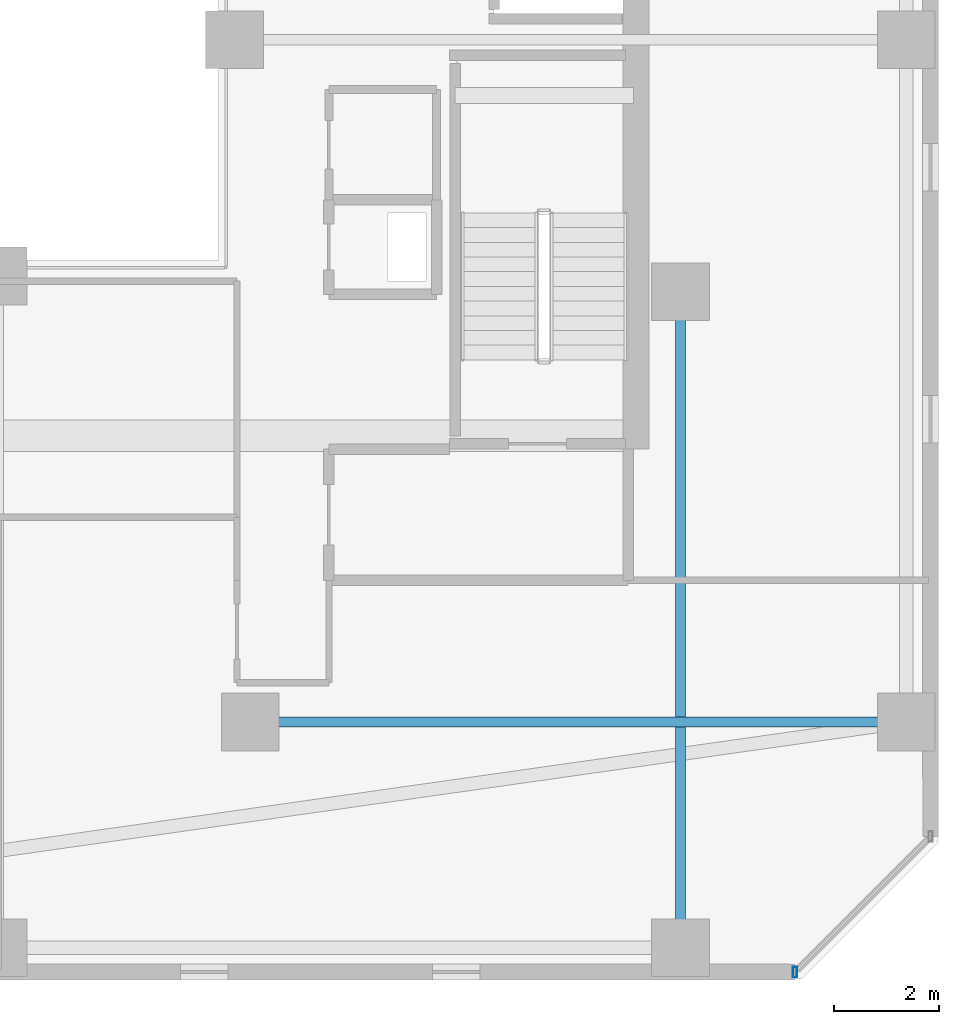
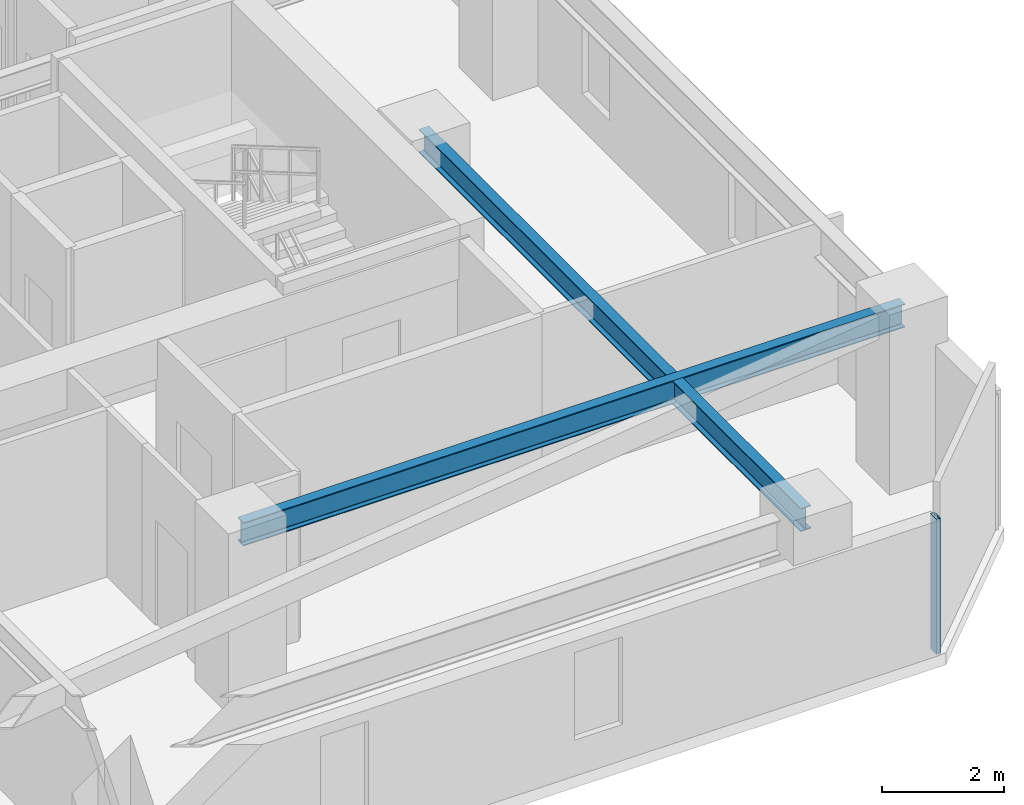
# One storey, part 13 of 33: 2 beams, 1 member, 1 element without a shape of its own.
"""IFC4 building model written with IfcOpenShell, lengths in metres."""

from ifc_helpers import new_model, si_unit, direction, frame, origin, origin_2d, place, context, subcontext, project, spatial, hollow_rectangle, i_section, extrude, material, material_profile, profile_set, type_object, element, aggregate, save


model = new_model("IFC4")

# Units and contexts
model_context = context("Model", 3, precision=1e-05, world=origin(), true_north=direction((0.0, 1.0)))
body_context = subcontext(model_context, "Body", "Model", "MODEL_VIEW")
ifc_project = project(units=[si_unit("LENGTHUNIT", "METRE"), si_unit("AREAUNIT", "SQUARE_METRE"), si_unit("VOLUMEUNIT", "CUBIC_METRE"), si_unit("PLANEANGLEUNIT", "RADIAN"), si_unit("MASSUNIT", "GRAM", prefix="KILO")], contexts=[model_context])

# Site, building, storey
site_placement = place(None, origin())
site = spatial("IfcSite", under=ifc_project, at=site_placement, CompositionType="ELEMENT")
building_placement = place(site_placement, origin())
building = spatial("IfcBuilding", under=site, at=building_placement, Name="Thornwick Lancets Civic Towers", CompositionType="ELEMENT")
storey_placement = place(building_placement, frame((0.0, 0.0, 185.699951171875)))
storey = spatial("IfcBuildingStorey", under=building, at=storey_placement, Name="L49", CompositionType="ELEMENT", Elevation=185.699951171875)

# Beams
ifc_material_1 = material(Name="Steel S355JR", Category="steel")
ifc_material_profile_1 = material_profile(ifc_material_1, i_section(OverallWidth=0.19287109375, OverallDepth=0.46728515625, WebThickness=0.011474609375, FlangeThickness=0.01953125, FilletRadius=0.01025390625, at=origin_2d()), Name="UKB 457x191x98")
ifc_profile_set_1 = profile_set([ifc_material_profile_1], Name="Steel S355JR")
beam_type = type_object("IfcBeamType", Name="BM_JOIST_457_98", PredefinedType="JOIST", material=ifc_profile_set_1)
for number, where, z_axis, x_axis, name in (
    (1, (93.300048828125, 14.0, 3.12646484375), (1.0, 0.0, 0.0), (0.0, 1.0, 0.0), "BM-RADIN-L49-B01"),
    (2, (101.5, 22.199951171875, 3.12646484375), (0.0, -1.0, 0.0), (1.0, 0.0, 0.0), "BM-RADIN-L49-B10"),
):
    element("IfcBeam", number, at=place(storey_placement, frame(where, z_axis=z_axis, x_axis=x_axis)), inside=storey, type_object=beam_type, Name=name, PredefinedType="JOIST", context=body_context, shape_type="SweptSolid", body=[
        extrude(i_section(OverallWidth=0.19287109375, OverallDepth=0.46728515625, WebThickness=0.011474609375, FlangeThickness=0.01953125, FilletRadius=0.01025390625, at=origin_2d()), origin(), (0.0, 0.0, 1.0), 12.5),
    ])

# Curtain wall, member
ifc_material_2 = material(Name="Mid-zone chamfered-corner unitised glass curtain wall", Category="glass")
curtain_wall_type = type_object("IfcCurtainWallType", Name="CW_SYS_04", PredefinedType="NOTDEFINED", material=ifc_material_2)
curtain_wall_placement = place(storey_placement, origin())
curtain_wall = element("IfcCurtainWall", 3, at=curtain_wall_placement, inside=storey, type_object=curtain_wall_type, Name="L49 Curtain Wall CW-L49-B-E1", PredefinedType="NOTDEFINED")
ifc_material_3 = material(Name="Thermally broken bronze aluminium S355", Category="steel")
ifc_material_profile_2 = material_profile(ifc_material_3, hollow_rectangle(XDim=0.080078125, YDim=0.199951171875, WallThickness=0.006103515625, at=origin_2d()), Name="RHS 200x80x6")
ifc_profile_set_2 = profile_set([ifc_material_profile_2], Name="Thermally broken bronze aluminium S355")
member_type = type_object("IfcMemberType", Name="CW_MUL_200", PredefinedType="MULLION", material=ifc_profile_set_2)
member_placement = place(storey_placement, frame((103.681396484375, 9.2353515625, 0.0), z_axis=(0.0, 0.0, 1.0), x_axis=(1.0, 0.0, 0.0)))
member = element("IfcMember", 4, at=member_placement, type_object=member_type, Name="CW-L49-B-E1 Mullion 0", PredefinedType="MULLION", context=body_context, shape_type="SweptSolid", body=[
    extrude(hollow_rectangle(XDim=0.080078125, YDim=0.199951171875, WallThickness=0.006103515625, at=origin_2d()), origin(), (0.0, 0.0, 1.0), 2.699951171875),
])
aggregate(curtain_wall, [member])

save(model, "model.ifc")
